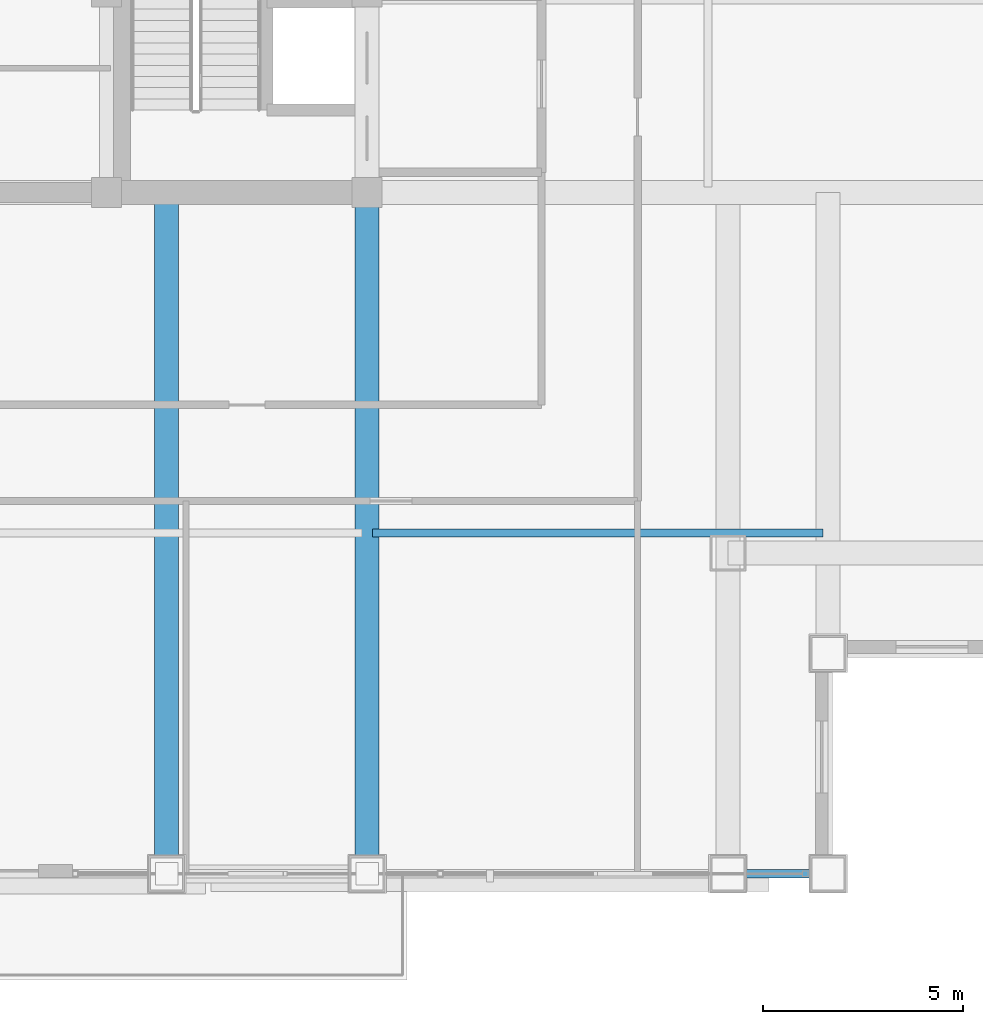
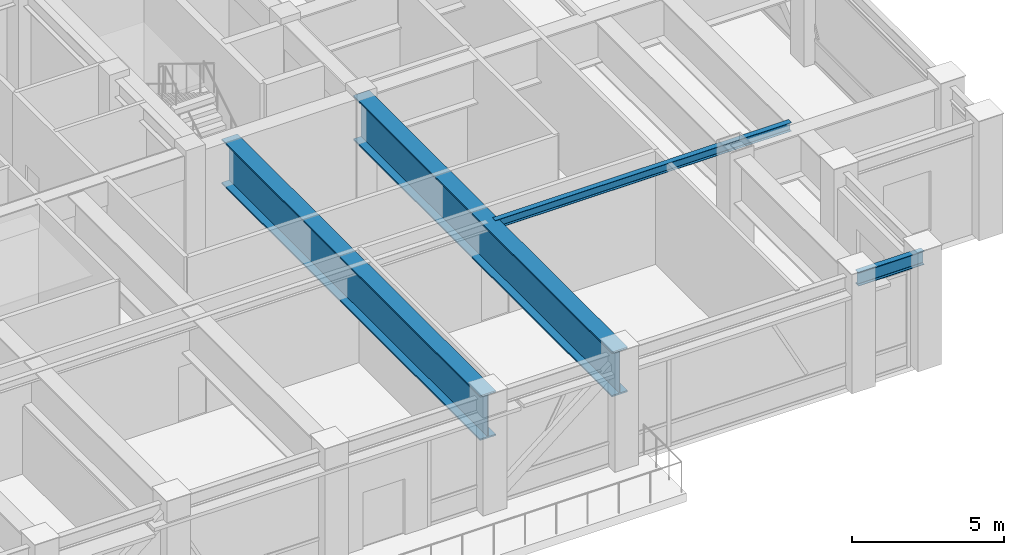
# One storey, part 9 of 31: 4 beams.
"""IFC4 building model written with IfcOpenShell, lengths in metres."""

from ifc_helpers import new_model, si_unit, direction, frame, origin, origin_2d, place, context, subcontext, project, spatial, i_section, extrude, source, transform, mapped, material, material_profile, profile_set, type_object, element, save


model = new_model("IFC4")

# Units and contexts
model_context = context("Model", 3, precision=1e-05, world=origin(), true_north=direction((0.0, 1.0)))
body_context = subcontext(model_context, "Body", "Model", "MODEL_VIEW")
ifc_project = project(units=[si_unit("LENGTHUNIT", "METRE"), si_unit("AREAUNIT", "SQUARE_METRE"), si_unit("VOLUMEUNIT", "CUBIC_METRE"), si_unit("PLANEANGLEUNIT", "RADIAN"), si_unit("MASSUNIT", "GRAM", prefix="KILO")], contexts=[model_context])

# Site, building, storey
site_placement = place(None, origin())
site = spatial("IfcSite", under=ifc_project, at=site_placement, CompositionType="ELEMENT")
building_placement = place(site_placement, origin())
building = spatial("IfcBuilding", under=site, at=building_placement, Name="Khorayat Bourse Tower", CompositionType="ELEMENT")
storey_placement = place(building_placement, frame((0.0, 0.0, 321.5)))
storey = spatial("IfcBuildingStorey", under=building, at=storey_placement, Name="L76", CompositionType="ELEMENT", Elevation=321.5)

# Beams
ifc_material_1 = material(Name="Steel EN 10025-4 S460M", Category="steel")
ifc_material_profile_1 = material_profile(ifc_material_1, i_section(OverallWidth=0.60009765625, OverallDepth=1.800048828125, WebThickness=0.031982421875, FlangeThickness=0.06005859375, at=origin_2d()), Name="PG 1800x600x32x60")
ifc_profile_set_1 = profile_set([ifc_material_profile_1], Name="Steel EN 10025-4 S460M")
beam_type_1 = type_object("IfcBeamType", Name="BM-TR-1800", PredefinedType="BEAM", material=ifc_profile_set_1)
shared_shape_1 = source(origin(), body_context, "Body", "SweptSolid", [
    extrude(i_section(OverallWidth=0.60009765625, OverallDepth=1.800048828125, WebThickness=0.031982421875, FlangeThickness=0.06005859375, at=origin_2d()), origin(), (0.0, 0.0, 1.0), 17.0),
])
for number, where, z_axis, x_axis, name in (
    (1, (6.0, -28.0, 3.60009765625), (0.0, 1.0, 0.0), (-1.0, 0.0, 0.0), "L76 BM-TR-1800 BM-L76-RADY-071"),
    (2, (11.0, -28.0, 3.60009765625), (0.0, 1.0, 0.0), (-1.0, 0.0, 0.0), "L76 BM-TR-1800 BM-L76-RADY-073"),
):
    element("IfcBeam", number, at=place(storey_placement, frame(where, z_axis=z_axis, x_axis=x_axis)), inside=storey, type_object=beam_type_1, Name=name, PredefinedType="BEAM", context=body_context, shape_type="MappedRepresentation", body=[
        mapped(shared_shape_1, transform((0.0, 0.0, 0.0), scale=1.0)),
    ])
ifc_material_2 = material(Name="Steel ASTM A992 Grade 50", Category="steel")
ifc_material_profile_2 = material_profile(ifc_material_2, i_section(OverallWidth=0.202880859375, OverallDepth=0.346923828125, WebThickness=0.0078125, FlangeThickness=0.013427734375, FilletRadius=0.010009765625, at=origin_2d()), Name="W360X64")
ifc_profile_set_2 = profile_set([ifc_material_profile_2], Name="Steel ASTM A992 Grade 50")
beam_type_2 = type_object("IfcBeamType", Name="BM-JOIST-360", PredefinedType="JOIST", material=ifc_profile_set_2)
shared_shape_2 = source(origin(), body_context, "Body", "SweptSolid", [
    extrude(i_section(OverallWidth=0.202880859375, OverallDepth=0.346923828125, WebThickness=0.0078125, FlangeThickness=0.013427734375, FilletRadius=0.010009765625, at=origin_2d()), origin(), (0.0, 0.0, 1.0), 11.240234375),
])
beam_1_placement = place(storey_placement, frame((11.1298828125, -19.5, 4.366455078125), z_axis=(1.0, 0.0, 0.0), x_axis=(0.0, 1.0, 0.0)))
element("IfcBeam", 3, at=beam_1_placement, inside=storey, type_object=beam_type_2, Name="L76 BM-JOIST-360 BM-L76-JSTX-098", PredefinedType="JOIST", context=body_context, shape_type="MappedRepresentation", body=[
    mapped(shared_shape_2, transform((0.0, 0.0, 0.0), scale=1.0)),
])
ifc_material_profile_3 = material_profile(ifc_material_2, i_section(OverallWidth=0.214111328125, OverallDepth=0.549072265625, WebThickness=0.0146484375, FlangeThickness=0.023681640625, FilletRadius=0.013916015625, at=origin_2d()), Name="W530X138")
ifc_profile_set_3 = profile_set([ifc_material_profile_3], Name="Steel ASTM A992 Grade 50")
beam_type_3 = type_object("IfcBeamType", Name="BM-SPAN-530", PredefinedType="SPANDREL", material=ifc_profile_set_3)
shared_shape_3 = source(origin(), body_context, "Body", "SweptSolid", [
    extrude(i_section(OverallWidth=0.214111328125, OverallDepth=0.549072265625, WebThickness=0.0146484375, FlangeThickness=0.023681640625, FilletRadius=0.013916015625, at=origin_2d()), origin(), (0.0, 0.0, 1.0), 2.5),
])
beam_2_placement = place(storey_placement, frame((20.0, -28.0, 4.2255859375), z_axis=(1.0, 0.0, 0.0), x_axis=(0.0, 1.0, 0.0)))
element("IfcBeam", 4, at=beam_2_placement, inside=storey, type_object=beam_type_3, Name="L76 BM-SPAN-530 BM-L76-SPN-031", PredefinedType="SPANDREL", context=body_context, shape_type="MappedRepresentation", body=[
    mapped(shared_shape_3, transform((0.0, 0.0, 0.0), scale=1.0)),
])

save(model, "model.ifc")
